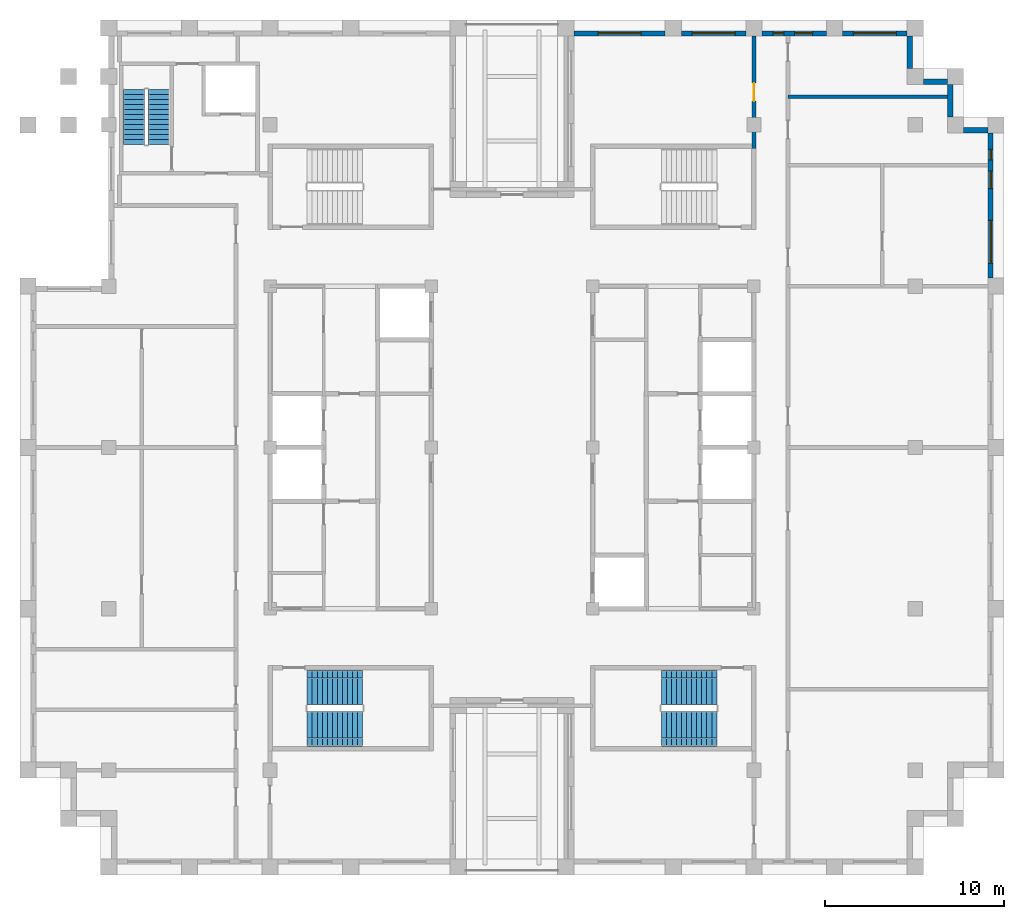
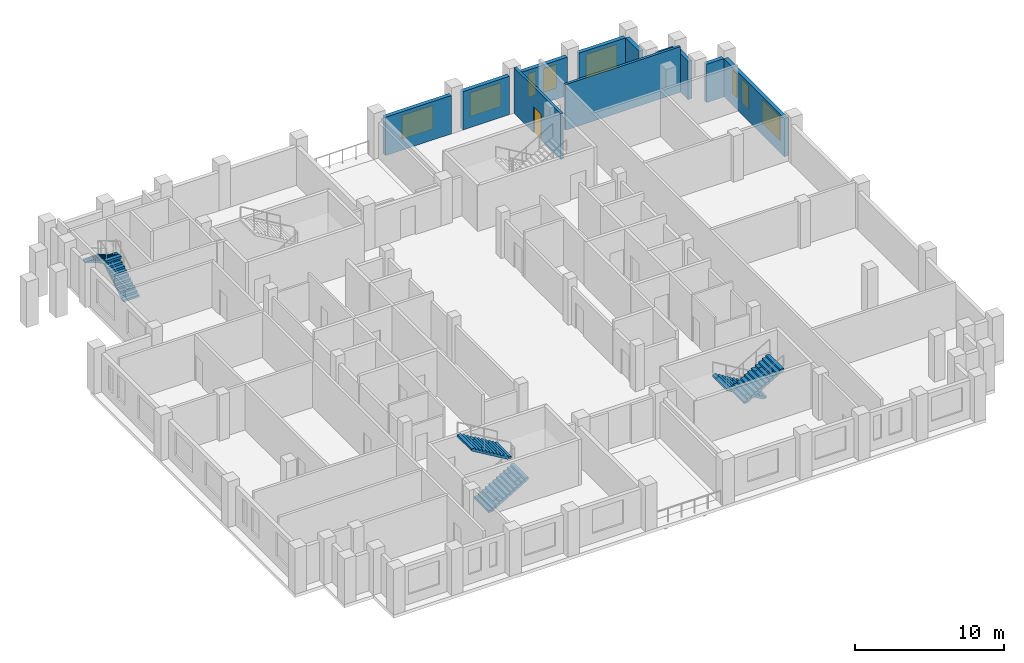
# One storey, part 7 of 9: 11 walls, 8 windows, 6 stair flights, 1 door, 9 openings, 3 elements without a shape of their own.
"""IFC4 building model written with IfcOpenShell, lengths in metres."""

from ifc_helpers import new_model, si_unit, direction, frame, frame_2d, origin, place, context, subcontext, project, spatial, polyline, rectangle, outline, extrude, material, layer, layer_set, type_object, element, fill, aggregate, save


model = new_model("IFC4")

# Units and contexts
model_context = context("Model", 3, precision=1e-05, world=origin(), true_north=direction((0.0, 1.0)))
body_context = subcontext(model_context, "Body", "Model", "MODEL_VIEW")
ifc_project = project(units=[si_unit("LENGTHUNIT", "METRE"), si_unit("AREAUNIT", "SQUARE_METRE"), si_unit("VOLUMEUNIT", "CUBIC_METRE"), si_unit("PLANEANGLEUNIT", "RADIAN"), si_unit("MASSUNIT", "GRAM", prefix="KILO")], contexts=[model_context])

# Site, building, storey
site_placement = place(None, origin())
site = spatial("IfcSite", under=ifc_project, at=site_placement, CompositionType="ELEMENT")
building_placement = place(site_placement, origin())
building = spatial("IfcBuilding", under=site, at=building_placement, Name="Corbelhall Arena Tower", CompositionType="ELEMENT")
storey_placement = place(building_placement, frame((0.0, 0.0, 300.0)))
storey = spatial("IfcBuildingStorey", under=building, at=storey_placement, Name="L65", CompositionType="ELEMENT", Elevation=300.0)

# Wall, openings, windows
ifc_material_1 = material(Name="Precast concrete C40/50 with granite facing", Category="masonry")
ifc_layer_1 = layer(ifc_material_1, 0.300048828125)
ifc_layer_set_1 = layer_set([ifc_layer_1], Name="EV-IW1 Infill panel 300")
wall_type_1 = type_object("IfcWallType", Name="EV-IW1 Infill panel 300", PredefinedType="SOLIDWALL", material=ifc_layer_set_1)
wall_1_placement = place(storey_placement, frame((26.699951171875, 9.449951171875, 0.0), z_axis=(0.0, 0.0, 1.0), x_axis=(0.0, 1.0, 0.0)))
wall_1 = element("IfcWall", 1, at=wall_1_placement, inside=storey, type_object=wall_type_1, Name="Infill panel IW1", PredefinedType="SOLIDWALL", context=body_context, shape_type="SweptSolid", body=[
    extrude(rectangle(XDim=8.10009765625, YDim=0.300048828125, at=frame_2d((4.050048828125, 0.0))), origin(), (0.0, 0.0, 1.0), 3.139892578125),
])
opening_1_placement = place(wall_1_placement, frame((0.824951171875, 0.0, 0.800048828125)))
opening_1 = element("IfcOpeningElement", 2, at=opening_1_placement, cuts=wall_1, Name="Opening WN1", PredefinedType="OPENING", context=body_context, shape_type="SweptSolid", body=[
    extrude(rectangle(XDim=2.39990234375, YDim=1.949951171875, at=frame_2d((1.199951171875, 0.97509765625))), frame((0.0, 0.14990234375, 0.0), z_axis=(0.0, -1.0, 0.0), x_axis=(1.0, 0.0, 0.0)), (0.0, 0.0, 1.0), 0.300048828125),
])
opening_2_placement = place(wall_1_placement, frame((4.987548828125, 0.0, 0.800048828125)))
opening_2 = element("IfcOpeningElement", 3, at=opening_2_placement, cuts=wall_1, Name="Opening WN6", PredefinedType="OPENING", context=body_context, shape_type="SweptSolid", body=[
    extrude(rectangle(XDim=1.0, YDim=1.949951171875, at=frame_2d((0.5, 0.97509765625))), frame((0.0, 0.14990234375, 0.0), z_axis=(0.0, -1.0, 0.0), x_axis=(1.0, 0.0, 0.0)), (0.0, 0.0, 1.0), 0.300048828125),
])
opening_3_placement = place(wall_1_placement, frame((6.58740234375, 0.0, 0.800048828125)))
opening_3 = element("IfcOpeningElement", 4, at=opening_3_placement, cuts=wall_1, Name="Opening WN5", PredefinedType="OPENING", context=body_context, shape_type="SweptSolid", body=[
    extrude(rectangle(XDim=0.60009765625, YDim=1.949951171875, at=frame_2d((0.300048828125, 0.97509765625))), frame((0.0, 0.14990234375, 0.0), z_axis=(0.0, -1.0, 0.0), x_axis=(1.0, 0.0, 0.0)), (0.0, 0.0, 1.0), 0.300048828125),
])
ifc_material_2 = material(Name="Aluminium black anodised", Category="aluminium")
window_type_1 = type_object("IfcWindowType", Name="EV-WN1 Office window", PartitioningType="SINGLE_PANEL", PredefinedType="WINDOW", material=ifc_material_2)
window_1_placement = place(opening_1_placement, origin())
window_1 = element("IfcWindow", 5, at=window_1_placement, inside=storey, type_object=window_type_1, Name="Window WN1", OverallHeight=1.949951171875, OverallWidth=2.39990234375, PartitioningType="SINGLE_PANEL", PredefinedType="WINDOW", context=body_context, shape_type="SweptSolid", body=[
    extrude(rectangle(XDim=2.39990234375, YDim=1.949951171875, at=frame_2d((1.199951171875, 0.97509765625))), frame((0.0, 0.030029296875, 0.0), z_axis=(0.0, -1.0, 0.0), x_axis=(1.0, 0.0, 0.0)), (0.0, 0.0, 1.0), 0.06005859375),
])
fill(opening_1, window_1)
window_type_2 = type_object("IfcWindowType", Name="EV-WN5 Office window 600", PartitioningType="SINGLE_PANEL", PredefinedType="WINDOW", material=ifc_material_2)
window_2_placement = place(opening_3_placement, origin())
window_2 = element("IfcWindow", 6, at=window_2_placement, inside=storey, type_object=window_type_2, Name="Window WN5", OverallHeight=1.949951171875, OverallWidth=0.60009765625, PartitioningType="SINGLE_PANEL", PredefinedType="WINDOW", context=body_context, shape_type="SweptSolid", body=[
    extrude(rectangle(XDim=0.60009765625, YDim=1.949951171875, at=frame_2d((0.300048828125, 0.97509765625))), frame((0.0, 0.030029296875, 0.0), z_axis=(0.0, -1.0, 0.0), x_axis=(1.0, 0.0, 0.0)), (0.0, 0.0, 1.0), 0.06005859375),
])
fill(opening_3, window_2)
window_type_3 = type_object("IfcWindowType", Name="EV-WN6 Office window 1000", PartitioningType="SINGLE_PANEL", PredefinedType="WINDOW", material=ifc_material_2)
window_3_placement = place(opening_2_placement, origin())
window_3 = element("IfcWindow", 7, at=window_3_placement, inside=storey, type_object=window_type_3, Name="Window WN6", OverallHeight=1.949951171875, OverallWidth=1.0, PartitioningType="SINGLE_PANEL", PredefinedType="WINDOW", context=body_context, shape_type="SweptSolid", body=[
    extrude(rectangle(XDim=1.0, YDim=1.949951171875, at=frame_2d((0.5, 0.97509765625))), frame((0.0, 0.030029296875, 0.0), z_axis=(0.0, -1.0, 0.0), x_axis=(1.0, 0.0, 0.0)), (0.0, 0.0, 1.0), 0.06005859375),
])
fill(opening_2, window_3)

# Walls
wall_2_placement = place(storey_placement, frame((26.550048828125, 17.699951171875, 0.0), z_axis=(0.0, 0.0, 1.0), x_axis=(-1.0, 0.0, 0.0)))
element("IfcWall", 8, at=wall_2_placement, inside=storey, type_object=wall_type_1, Name="Infill panel IW1", PredefinedType="SOLIDWALL", context=body_context, shape_type="SweptSolid", body=[
    extrude(rectangle(XDim=1.35009765625, YDim=0.300048828125, at=frame_2d((0.675048828125, 0.0))), origin(), (0.0, 0.0, 1.0), 3.139892578125),
])
wall_3_placement = place(storey_placement, frame((24.449951171875, 18.449951171875, 0.0), z_axis=(0.0, 0.0, 1.0), x_axis=(0.0, 1.0, 0.0)))
element("IfcWall", 9, at=wall_3_placement, inside=storey, type_object=wall_type_1, Name="Infill panel IW1", PredefinedType="SOLIDWALL", context=body_context, shape_type="SweptSolid", body=[
    extrude(rectangle(XDim=1.800048828125, YDim=0.300048828125, at=frame_2d((0.89990234375, 0.0))), origin(), (0.0, 0.0, 1.0), 3.139892578125),
])
wall_4_placement = place(storey_placement, frame((24.300048828125, 20.39990234375, 0.0), z_axis=(0.0, 0.0, 1.0), x_axis=(-1.0, 0.0, 0.0)))
element("IfcWall", 10, at=wall_4_placement, inside=storey, type_object=wall_type_1, Name="Infill panel IW1", PredefinedType="SOLIDWALL", context=body_context, shape_type="SweptSolid", body=[
    extrude(rectangle(XDim=1.35009765625, YDim=0.300048828125, at=frame_2d((0.675048828125, 0.0))), origin(), (0.0, 0.0, 1.0), 3.139892578125),
])
wall_5_placement = place(storey_placement, frame((22.199951171875, 21.14990234375, 0.0), z_axis=(0.0, 0.0, 1.0), x_axis=(0.0, 1.0, 0.0)))
element("IfcWall", 11, at=wall_5_placement, inside=storey, type_object=wall_type_1, Name="Infill panel IW1", PredefinedType="SOLIDWALL", context=body_context, shape_type="SweptSolid", body=[
    extrude(rectangle(XDim=1.800048828125, YDim=0.300048828125, at=frame_2d((0.89990234375, 0.0))), origin(), (0.0, 0.0, 1.0), 3.139892578125),
])

# Wall, opening, window
wall_6_placement = place(storey_placement, frame((22.050048828125, 23.10009765625, 0.0), z_axis=(0.0, 0.0, 1.0), x_axis=(-1.0, 0.0, 0.0)))
wall_6 = element("IfcWall", 12, at=wall_6_placement, inside=storey, type_object=wall_type_1, Name="Infill panel IW1", PredefinedType="SOLIDWALL", context=body_context, shape_type="SweptSolid", body=[
    extrude(rectangle(XDim=3.60009765625, YDim=0.300048828125, at=frame_2d((1.800048828125, 0.0))), origin(), (0.0, 0.0, 1.0), 3.139892578125),
])
opening_4_placement = place(wall_6_placement, frame((0.60009765625, 0.0, 0.800048828125)))
opening_4 = element("IfcOpeningElement", 13, at=opening_4_placement, cuts=wall_6, Name="Opening WN1", PredefinedType="OPENING", context=body_context, shape_type="SweptSolid", body=[
    extrude(rectangle(XDim=2.39990234375, YDim=1.949951171875, at=frame_2d((1.199951171875, 0.97509765625))), frame((0.0, 0.14990234375, 0.0), z_axis=(0.0, -1.0, 0.0), x_axis=(1.0, 0.0, 0.0)), (0.0, 0.0, 1.0), 0.300048828125),
])
window_4_placement = place(opening_4_placement, origin())
window_4 = element("IfcWindow", 14, at=window_4_placement, inside=storey, type_object=window_type_1, Name="Window WN1", OverallHeight=1.949951171875, OverallWidth=2.39990234375, PartitioningType="SINGLE_PANEL", PredefinedType="WINDOW", context=body_context, shape_type="SweptSolid", body=[
    extrude(rectangle(XDim=2.39990234375, YDim=1.949951171875, at=frame_2d((1.199951171875, 0.97509765625))), frame((0.0, 0.030029296875, 0.0), z_axis=(0.0, -1.0, 0.0), x_axis=(1.0, 0.0, 0.0)), (0.0, 0.0, 1.0), 0.06005859375),
])
fill(opening_4, window_4)

# Wall, openings, windows
wall_7_placement = place(storey_placement, frame((17.550048828125, 23.10009765625, 0.0), z_axis=(0.0, 0.0, 1.0), x_axis=(-1.0, 0.0, 0.0)))
wall_7 = element("IfcWall", 15, at=wall_7_placement, inside=storey, type_object=wall_type_1, Name="Infill panel IW1", PredefinedType="SOLIDWALL", context=body_context, shape_type="SweptSolid", body=[
    extrude(rectangle(XDim=3.60009765625, YDim=0.300048828125, at=frame_2d((1.800048828125, 0.0))), origin(), (0.0, 0.0, 1.0), 3.139892578125),
])
opening_5_placement = place(wall_7_placement, frame((0.77490234375, 0.0, 0.800048828125)))
opening_5 = element("IfcOpeningElement", 16, at=opening_5_placement, cuts=wall_7, Name="Opening WN6", PredefinedType="OPENING", context=body_context, shape_type="SweptSolid", body=[
    extrude(rectangle(XDim=1.0, YDim=1.949951171875, at=frame_2d((0.5, 0.97509765625))), frame((0.0, 0.14990234375, 0.0), z_axis=(0.0, -1.0, 0.0), x_axis=(1.0, 0.0, 0.0)), (0.0, 0.0, 1.0), 0.300048828125),
])
opening_6_placement = place(wall_7_placement, frame((2.375, 0.0, 0.800048828125)))
opening_6 = element("IfcOpeningElement", 17, at=opening_6_placement, cuts=wall_7, Name="Opening WN5", PredefinedType="OPENING", context=body_context, shape_type="SweptSolid", body=[
    extrude(rectangle(XDim=0.60009765625, YDim=1.949951171875, at=frame_2d((0.300048828125, 0.97509765625))), frame((0.0, 0.14990234375, 0.0), z_axis=(0.0, -1.0, 0.0), x_axis=(1.0, 0.0, 0.0)), (0.0, 0.0, 1.0), 0.300048828125),
])
window_5_placement = place(opening_6_placement, origin())
window_5 = element("IfcWindow", 18, at=window_5_placement, inside=storey, type_object=window_type_2, Name="Window WN5", OverallHeight=1.949951171875, OverallWidth=0.60009765625, PartitioningType="SINGLE_PANEL", PredefinedType="WINDOW", context=body_context, shape_type="SweptSolid", body=[
    extrude(rectangle(XDim=0.60009765625, YDim=1.949951171875, at=frame_2d((0.300048828125, 0.97509765625))), frame((0.0, 0.030029296875, 0.0), z_axis=(0.0, -1.0, 0.0), x_axis=(1.0, 0.0, 0.0)), (0.0, 0.0, 1.0), 0.06005859375),
])
fill(opening_6, window_5)
window_6_placement = place(opening_5_placement, origin())
window_6 = element("IfcWindow", 19, at=window_6_placement, inside=storey, type_object=window_type_3, Name="Window WN6", OverallHeight=1.949951171875, OverallWidth=1.0, PartitioningType="SINGLE_PANEL", PredefinedType="WINDOW", context=body_context, shape_type="SweptSolid", body=[
    extrude(rectangle(XDim=1.0, YDim=1.949951171875, at=frame_2d((0.5, 0.97509765625))), frame((0.0, 0.030029296875, 0.0), z_axis=(0.0, -1.0, 0.0), x_axis=(1.0, 0.0, 0.0)), (0.0, 0.0, 1.0), 0.06005859375),
])
fill(opening_5, window_6)

# Wall, opening, window
wall_8_placement = place(storey_placement, frame((13.050048828125, 23.10009765625, 0.0), z_axis=(0.0, 0.0, 1.0), x_axis=(-1.0, 0.0, 0.0)))
wall_8 = element("IfcWall", 20, at=wall_8_placement, inside=storey, type_object=wall_type_1, Name="Infill panel IW1", PredefinedType="SOLIDWALL", context=body_context, shape_type="SweptSolid", body=[
    extrude(rectangle(XDim=3.60009765625, YDim=0.300048828125, at=frame_2d((1.800048828125, 0.0))), origin(), (0.0, 0.0, 1.0), 3.139892578125),
])
opening_7_placement = place(wall_8_placement, frame((0.60009765625, 0.0, 0.800048828125)))
opening_7 = element("IfcOpeningElement", 21, at=opening_7_placement, cuts=wall_8, Name="Opening WN1", PredefinedType="OPENING", context=body_context, shape_type="SweptSolid", body=[
    extrude(rectangle(XDim=2.39990234375, YDim=1.949951171875, at=frame_2d((1.199951171875, 0.97509765625))), frame((0.0, 0.14990234375, 0.0), z_axis=(0.0, -1.0, 0.0), x_axis=(1.0, 0.0, 0.0)), (0.0, 0.0, 1.0), 0.300048828125),
])
window_7_placement = place(opening_7_placement, origin())
window_7 = element("IfcWindow", 22, at=window_7_placement, inside=storey, type_object=window_type_1, Name="Window WN1", OverallHeight=1.949951171875, OverallWidth=2.39990234375, PartitioningType="SINGLE_PANEL", PredefinedType="WINDOW", context=body_context, shape_type="SweptSolid", body=[
    extrude(rectangle(XDim=2.39990234375, YDim=1.949951171875, at=frame_2d((1.199951171875, 0.97509765625))), frame((0.0, 0.030029296875, 0.0), z_axis=(0.0, -1.0, 0.0), x_axis=(1.0, 0.0, 0.0)), (0.0, 0.0, 1.0), 0.06005859375),
])
fill(opening_7, window_7)

wall_9_placement = place(storey_placement, frame((8.550048828125, 23.10009765625, 0.0), z_axis=(0.0, 0.0, 1.0), x_axis=(-1.0, 0.0, 0.0)))
wall_9 = element("IfcWall", 23, at=wall_9_placement, inside=storey, type_object=wall_type_1, Name="Infill panel IW1", PredefinedType="SOLIDWALL", context=body_context, shape_type="SweptSolid", body=[
    extrude(rectangle(XDim=5.10009765625, YDim=0.300048828125, at=frame_2d((2.550048828125, 0.0))), origin(), (0.0, 0.0, 1.0), 3.139892578125),
])
opening_8_placement = place(wall_9_placement, frame((1.35009765625, 0.0, 0.800048828125)))
opening_8 = element("IfcOpeningElement", 24, at=opening_8_placement, cuts=wall_9, Name="Opening WN1", PredefinedType="OPENING", context=body_context, shape_type="SweptSolid", body=[
    extrude(rectangle(XDim=2.39990234375, YDim=1.949951171875, at=frame_2d((1.199951171875, 0.97509765625))), frame((0.0, 0.14990234375, 0.0), z_axis=(0.0, -1.0, 0.0), x_axis=(1.0, 0.0, 0.0)), (0.0, 0.0, 1.0), 0.300048828125),
])
window_8_placement = place(opening_8_placement, origin())
window_8 = element("IfcWindow", 25, at=window_8_placement, inside=storey, type_object=window_type_1, Name="Window WN1", OverallHeight=1.949951171875, OverallWidth=2.39990234375, PartitioningType="SINGLE_PANEL", PredefinedType="WINDOW", context=body_context, shape_type="SweptSolid", body=[
    extrude(rectangle(XDim=2.39990234375, YDim=1.949951171875, at=frame_2d((1.199951171875, 0.97509765625))), frame((0.0, 0.030029296875, 0.0), z_axis=(0.0, -1.0, 0.0), x_axis=(1.0, 0.0, 0.0)), (0.0, 0.0, 1.0), 0.06005859375),
])
fill(opening_8, window_8)

# Wall, opening, door
ifc_material_3 = material(Name="Gypsum board on steel stud, acoustic", Category="steel")
ifc_layer_2 = layer(ifc_material_3, 0.199951171875)
ifc_layer_set_2 = layer_set([ifc_layer_2], Name="IN-W-DM200")
wall_type_2 = type_object("IfcWallType", Name="IN-W-DM200", PredefinedType="PARTITIONING", material=ifc_layer_set_2)
wall_10_placement = place(storey_placement, frame((13.5, 16.675048828125, 0.0), z_axis=(0.0, 0.0, 1.0), x_axis=(0.0, 1.0, 0.0)))
wall_10 = element("IfcWall", 26, at=wall_10_placement, inside=storey, type_object=wall_type_2, Name="Partition 021", PredefinedType="PARTITIONING", context=body_context, shape_type="SweptSolid", body=[
    extrude(rectangle(XDim=6.27490234375, YDim=0.199951171875, at=frame_2d((3.137451171875, 0.0))), origin(), (0.0, 0.0, 1.0), 3.739990234375),
])
opening_9_placement = place(wall_10_placement, frame((2.64990234375, 0.0, 0.0)))
opening_9 = element("IfcOpeningElement", 27, at=opening_9_placement, cuts=wall_10, Name="Opening 21018", PredefinedType="OPENING", context=body_context, shape_type="SweptSolid", body=[
    extrude(rectangle(XDim=1.0, YDim=2.10009765625, at=frame_2d((0.5, 1.050048828125))), frame((0.0, 0.10009765625, 0.0), z_axis=(0.0, -1.0, 0.0), x_axis=(1.0, 0.0, 0.0)), (0.0, 0.0, 1.0), 0.199951171875),
])
ifc_material_4 = material(Name="Steel door set", Category="steel")
door_type = type_object("IfcDoorType", Name="IN-D-SW100", OperationType="NOTDEFINED", PredefinedType="DOOR", material=ifc_material_4)
door_placement = place(opening_9_placement, origin())
door = element("IfcDoor", 28, at=door_placement, inside=storey, type_object=door_type, Name="Door 018", OperationType="SINGLE_SWING_LEFT", OverallHeight=2.10009765625, OverallWidth=1.0, PredefinedType="DOOR", context=body_context, shape_type="SweptSolid", body=[
    extrude(rectangle(XDim=1.0, YDim=2.10009765625, at=frame_2d((0.5, 1.050048828125))), frame((0.0, 0.02490234375, 0.0), z_axis=(0.0, -1.0, 0.0), x_axis=(1.0, 0.0, 0.0)), (0.0, 0.0, 1.0), 0.050048828125),
])
fill(opening_9, door)

# Wall
wall_11_placement = place(storey_placement, frame((15.39990234375, 19.574951171875, 0.0), z_axis=(0.0, 0.0, 1.0), x_axis=(1.0, 0.0, 0.0)))
element("IfcWall", 29, at=wall_11_placement, inside=storey, type_object=wall_type_2, Name="Partition 026", PredefinedType="PARTITIONING", context=body_context, shape_type="SweptSolid", body=[
    extrude(rectangle(XDim=8.900146484375, YDim=0.199951171875, at=frame_2d((4.4501953125, 0.0))), origin(), (0.0, 0.0, 1.0), 3.739990234375),
])

# Stair, stair flights
ifc_material_5 = material(Name="Concrete C40/50", Category="concrete")
stair_type = type_object("IfcStairType", Name="IN-ST-TOWER", PredefinedType="HALF_TURN_STAIR", material=ifc_material_5)
stair_1_placement = place(storey_placement, origin())
stair_1 = element("IfcStair", 30, at=stair_1_placement, inside=storey, type_object=stair_type, Name="L65 Exit stair ST2", PredefinedType="HALF_TURN_STAIR")
stair_flight_type = type_object("IfcStairFlightType", Name="IN-SFL-RC", PredefinedType="STRAIGHT", material=ifc_material_5)
stair_flight_1_placement = place(storey_placement, frame((-11.425048828125, -15.699951171875, 0.0), z_axis=(0.0, 0.0, 1.0), x_axis=(1.0, 0.0, 0.0)))
stair_flight_1 = element("IfcStairFlight", 31, at=stair_flight_1_placement, type_object=stair_flight_type, Name="ST2 flight 1", NumberOfRisers=12, NumberOfTreads=11, PredefinedType="STRAIGHT", RiserHeight=0.166666667, TreadLength=0.28, context=body_context, shape_type="SweptSolid", body=[
    extrude(outline(polyline([(0.0, 0.0), (0.0, 0.166748046875), (0.280029296875, 0.166748046875), (0.280029296875, 0.333251953125), (0.56005859375, 0.333251953125), (0.56005859375, 0.5), (0.840087890625, 0.5), (0.840087890625, 0.666748046875), (1.1201171875, 0.666748046875), (1.1201171875, 0.833251953125), (1.39990234375, 0.833251953125), (1.39990234375, 1.0), (1.679931640625, 1.0), (1.679931640625, 1.166748046875), (1.9599609375, 1.166748046875), (1.9599609375, 1.333251953125), (2.239990234375, 1.333251953125), (2.239990234375, 1.5), (2.52001953125, 1.5), (2.52001953125, 1.666748046875), (2.800048828125, 1.666748046875), (2.800048828125, 1.833251953125), (3.080078125, 1.833251953125), (3.080078125, 2.0), (3.080078125, 1.658935546875), (0.29296875, 0.0), (0.0, 0.0)])), frame((0.0, 0.97509765625, 0.0), z_axis=(0.0, -1.0, 0.0), x_axis=(1.0, 0.0, 0.0)), (0.0, 0.0, 1.0), 0.449951171875),
    extrude(outline(polyline([(0.0, 0.0), (0.0, 0.166748046875), (0.280029296875, 0.166748046875), (0.280029296875, 0.333251953125), (0.56005859375, 0.333251953125), (0.56005859375, 0.5), (0.840087890625, 0.5), (0.840087890625, 0.666748046875), (1.1201171875, 0.666748046875), (1.1201171875, 0.833251953125), (1.39990234375, 0.833251953125), (1.39990234375, 1.0), (1.679931640625, 1.0), (1.679931640625, 1.166748046875), (1.9599609375, 1.166748046875), (1.9599609375, 1.333251953125), (2.239990234375, 1.333251953125), (2.239990234375, 1.5), (2.52001953125, 1.5), (2.52001953125, 1.666748046875), (2.800048828125, 1.666748046875), (2.800048828125, 1.833251953125), (3.080078125, 1.833251953125), (3.080078125, 2.0), (3.080078125, 1.658935546875), (0.29296875, 0.0), (0.0, 0.0)])), frame((0.0, 0.52099609375, 0.0), z_axis=(0.0, -1.0, 0.0), x_axis=(1.0, 0.0, 0.0)), (0.0, 0.0, 1.0), 1.0419921875),
    extrude(outline(polyline([(0.0, 0.0), (0.0, 0.166748046875), (0.280029296875, 0.166748046875), (0.280029296875, 0.333251953125), (0.56005859375, 0.333251953125), (0.56005859375, 0.5), (0.840087890625, 0.5), (0.840087890625, 0.666748046875), (1.1201171875, 0.666748046875), (1.1201171875, 0.833251953125), (1.39990234375, 0.833251953125), (1.39990234375, 1.0), (1.679931640625, 1.0), (1.679931640625, 1.166748046875), (1.9599609375, 1.166748046875), (1.9599609375, 1.333251953125), (2.239990234375, 1.333251953125), (2.239990234375, 1.5), (2.52001953125, 1.5), (2.52001953125, 1.666748046875), (2.800048828125, 1.666748046875), (2.800048828125, 1.833251953125), (3.080078125, 1.833251953125), (3.080078125, 2.0), (3.080078125, 1.658935546875), (0.29296875, 0.0), (0.0, 0.0)])), frame((0.0, -0.52490234375, 0.0), z_axis=(0.0, -1.0, 0.0), x_axis=(1.0, 0.0, 0.0)), (0.0, 0.0, 1.0), 0.449951171875),
])
stair_flight_2_placement = place(storey_placement, frame((-8.344970703125, -13.39990234375, 2.0), z_axis=(0.0, 0.0, 1.0), x_axis=(-1.0, 0.0, 0.0)))
stair_flight_2 = element("IfcStairFlight", 32, at=stair_flight_2_placement, type_object=stair_flight_type, Name="ST2 flight 2", NumberOfRisers=12, NumberOfTreads=11, PredefinedType="STRAIGHT", RiserHeight=0.166666667, TreadLength=0.28, context=body_context, shape_type="SweptSolid", body=[
    extrude(outline(polyline([(0.0, 0.0), (0.0, 0.166748046875), (0.280029296875, 0.166748046875), (0.280029296875, 0.333251953125), (0.56005859375, 0.333251953125), (0.56005859375, 0.5), (0.840087890625, 0.5), (0.840087890625, 0.666748046875), (1.1201171875, 0.666748046875), (1.1201171875, 0.833251953125), (1.39990234375, 0.833251953125), (1.39990234375, 1.0), (1.679931640625, 1.0), (1.679931640625, 1.166748046875), (1.9599609375, 1.166748046875), (1.9599609375, 1.333251953125), (2.239990234375, 1.333251953125), (2.239990234375, 1.5), (2.52001953125, 1.5), (2.52001953125, 1.666748046875), (2.800048828125, 1.666748046875), (2.800048828125, 1.833251953125), (3.080078125, 1.833251953125), (3.080078125, 2.0), (3.080078125, 1.658935546875), (0.29296875, 0.0), (0.0, 0.0)])), frame((0.0, 0.97509765625, 0.0), z_axis=(0.0, -1.0, 0.0), x_axis=(1.0, 0.0, 0.0)), (0.0, 0.0, 1.0), 0.449951171875),
    extrude(outline(polyline([(0.0, 0.0), (0.0, 0.166748046875), (0.280029296875, 0.166748046875), (0.280029296875, 0.333251953125), (0.56005859375, 0.333251953125), (0.56005859375, 0.5), (0.840087890625, 0.5), (0.840087890625, 0.666748046875), (1.1201171875, 0.666748046875), (1.1201171875, 0.833251953125), (1.39990234375, 0.833251953125), (1.39990234375, 1.0), (1.679931640625, 1.0), (1.679931640625, 1.166748046875), (1.9599609375, 1.166748046875), (1.9599609375, 1.333251953125), (2.239990234375, 1.333251953125), (2.239990234375, 1.5), (2.52001953125, 1.5), (2.52001953125, 1.666748046875), (2.800048828125, 1.666748046875), (2.800048828125, 1.833251953125), (3.080078125, 1.833251953125), (3.080078125, 2.0), (3.080078125, 1.658935546875), (0.29296875, 0.0), (0.0, 0.0)])), frame((0.0, 0.52099609375, 0.0), z_axis=(0.0, -1.0, 0.0), x_axis=(1.0, 0.0, 0.0)), (0.0, 0.0, 1.0), 1.0419921875),
    extrude(outline(polyline([(0.0, 0.0), (0.0, 0.166748046875), (0.280029296875, 0.166748046875), (0.280029296875, 0.333251953125), (0.56005859375, 0.333251953125), (0.56005859375, 0.5), (0.840087890625, 0.5), (0.840087890625, 0.666748046875), (1.1201171875, 0.666748046875), (1.1201171875, 0.833251953125), (1.39990234375, 0.833251953125), (1.39990234375, 1.0), (1.679931640625, 1.0), (1.679931640625, 1.166748046875), (1.9599609375, 1.166748046875), (1.9599609375, 1.333251953125), (2.239990234375, 1.333251953125), (2.239990234375, 1.5), (2.52001953125, 1.5), (2.52001953125, 1.666748046875), (2.800048828125, 1.666748046875), (2.800048828125, 1.833251953125), (3.080078125, 1.833251953125), (3.080078125, 2.0), (3.080078125, 1.658935546875), (0.29296875, 0.0), (0.0, 0.0)])), frame((0.0, -0.52490234375, 0.0), z_axis=(0.0, -1.0, 0.0), x_axis=(1.0, 0.0, 0.0)), (0.0, 0.0, 1.0), 0.449951171875),
])
aggregate(stair_1, [stair_flight_1, stair_flight_2])

stair_2_placement = place(storey_placement, origin())
stair_2 = element("IfcStair", 33, at=stair_2_placement, inside=storey, type_object=stair_type, Name="L65 Exit stair ST4", PredefinedType="HALF_TURN_STAIR")
stair_flight_3_placement = place(storey_placement, frame((11.425048828125, -13.39990234375, 0.0), z_axis=(0.0, 0.0, 1.0), x_axis=(-1.0, 0.0, 0.0)))
stair_flight_3 = element("IfcStairFlight", 34, at=stair_flight_3_placement, type_object=stair_flight_type, Name="ST4 flight 1", NumberOfRisers=12, NumberOfTreads=11, PredefinedType="STRAIGHT", RiserHeight=0.166666667, TreadLength=0.28, context=body_context, shape_type="SweptSolid", body=[
    extrude(outline(polyline([(0.0, 0.0), (0.0, 0.166748046875), (0.280029296875, 0.166748046875), (0.280029296875, 0.333251953125), (0.56005859375, 0.333251953125), (0.56005859375, 0.5), (0.840087890625, 0.5), (0.840087890625, 0.666748046875), (1.1201171875, 0.666748046875), (1.1201171875, 0.833251953125), (1.39990234375, 0.833251953125), (1.39990234375, 1.0), (1.679931640625, 1.0), (1.679931640625, 1.166748046875), (1.9599609375, 1.166748046875), (1.9599609375, 1.333251953125), (2.239990234375, 1.333251953125), (2.239990234375, 1.5), (2.52001953125, 1.5), (2.52001953125, 1.666748046875), (2.800048828125, 1.666748046875), (2.800048828125, 1.833251953125), (3.080078125, 1.833251953125), (3.080078125, 2.0), (3.080078125, 1.658935546875), (0.29296875, 0.0), (0.0, 0.0)])), frame((0.0, 0.97509765625, 0.0), z_axis=(0.0, -1.0, 0.0), x_axis=(1.0, 0.0, 0.0)), (0.0, 0.0, 1.0), 0.449951171875),
    extrude(outline(polyline([(0.0, 0.0), (0.0, 0.166748046875), (0.280029296875, 0.166748046875), (0.280029296875, 0.333251953125), (0.56005859375, 0.333251953125), (0.56005859375, 0.5), (0.840087890625, 0.5), (0.840087890625, 0.666748046875), (1.1201171875, 0.666748046875), (1.1201171875, 0.833251953125), (1.39990234375, 0.833251953125), (1.39990234375, 1.0), (1.679931640625, 1.0), (1.679931640625, 1.166748046875), (1.9599609375, 1.166748046875), (1.9599609375, 1.333251953125), (2.239990234375, 1.333251953125), (2.239990234375, 1.5), (2.52001953125, 1.5), (2.52001953125, 1.666748046875), (2.800048828125, 1.666748046875), (2.800048828125, 1.833251953125), (3.080078125, 1.833251953125), (3.080078125, 2.0), (3.080078125, 1.658935546875), (0.29296875, 0.0), (0.0, 0.0)])), frame((0.0, 0.52099609375, 0.0), z_axis=(0.0, -1.0, 0.0), x_axis=(1.0, 0.0, 0.0)), (0.0, 0.0, 1.0), 1.0419921875),
    extrude(outline(polyline([(0.0, 0.0), (0.0, 0.166748046875), (0.280029296875, 0.166748046875), (0.280029296875, 0.333251953125), (0.56005859375, 0.333251953125), (0.56005859375, 0.5), (0.840087890625, 0.5), (0.840087890625, 0.666748046875), (1.1201171875, 0.666748046875), (1.1201171875, 0.833251953125), (1.39990234375, 0.833251953125), (1.39990234375, 1.0), (1.679931640625, 1.0), (1.679931640625, 1.166748046875), (1.9599609375, 1.166748046875), (1.9599609375, 1.333251953125), (2.239990234375, 1.333251953125), (2.239990234375, 1.5), (2.52001953125, 1.5), (2.52001953125, 1.666748046875), (2.800048828125, 1.666748046875), (2.800048828125, 1.833251953125), (3.080078125, 1.833251953125), (3.080078125, 2.0), (3.080078125, 1.658935546875), (0.29296875, 0.0), (0.0, 0.0)])), frame((0.0, -0.52490234375, 0.0), z_axis=(0.0, -1.0, 0.0), x_axis=(1.0, 0.0, 0.0)), (0.0, 0.0, 1.0), 0.449951171875),
])
stair_flight_4_placement = place(storey_placement, frame((8.344970703125, -15.699951171875, 2.0), z_axis=(0.0, 0.0, 1.0), x_axis=(1.0, 0.0, 0.0)))
stair_flight_4 = element("IfcStairFlight", 35, at=stair_flight_4_placement, type_object=stair_flight_type, Name="ST4 flight 2", NumberOfRisers=12, NumberOfTreads=11, PredefinedType="STRAIGHT", RiserHeight=0.166666667, TreadLength=0.28, context=body_context, shape_type="SweptSolid", body=[
    extrude(outline(polyline([(0.0, 0.0), (0.0, 0.166748046875), (0.280029296875, 0.166748046875), (0.280029296875, 0.333251953125), (0.56005859375, 0.333251953125), (0.56005859375, 0.5), (0.840087890625, 0.5), (0.840087890625, 0.666748046875), (1.1201171875, 0.666748046875), (1.1201171875, 0.833251953125), (1.39990234375, 0.833251953125), (1.39990234375, 1.0), (1.679931640625, 1.0), (1.679931640625, 1.166748046875), (1.9599609375, 1.166748046875), (1.9599609375, 1.333251953125), (2.239990234375, 1.333251953125), (2.239990234375, 1.5), (2.52001953125, 1.5), (2.52001953125, 1.666748046875), (2.800048828125, 1.666748046875), (2.800048828125, 1.833251953125), (3.080078125, 1.833251953125), (3.080078125, 2.0), (3.080078125, 1.658935546875), (0.29296875, 0.0), (0.0, 0.0)])), frame((0.0, 0.97509765625, 0.0), z_axis=(0.0, -1.0, 0.0), x_axis=(1.0, 0.0, 0.0)), (0.0, 0.0, 1.0), 0.449951171875),
    extrude(outline(polyline([(0.0, 0.0), (0.0, 0.166748046875), (0.280029296875, 0.166748046875), (0.280029296875, 0.333251953125), (0.56005859375, 0.333251953125), (0.56005859375, 0.5), (0.840087890625, 0.5), (0.840087890625, 0.666748046875), (1.1201171875, 0.666748046875), (1.1201171875, 0.833251953125), (1.39990234375, 0.833251953125), (1.39990234375, 1.0), (1.679931640625, 1.0), (1.679931640625, 1.166748046875), (1.9599609375, 1.166748046875), (1.9599609375, 1.333251953125), (2.239990234375, 1.333251953125), (2.239990234375, 1.5), (2.52001953125, 1.5), (2.52001953125, 1.666748046875), (2.800048828125, 1.666748046875), (2.800048828125, 1.833251953125), (3.080078125, 1.833251953125), (3.080078125, 2.0), (3.080078125, 1.658935546875), (0.29296875, 0.0), (0.0, 0.0)])), frame((0.0, 0.52099609375, 0.0), z_axis=(0.0, -1.0, 0.0), x_axis=(1.0, 0.0, 0.0)), (0.0, 0.0, 1.0), 1.0419921875),
    extrude(outline(polyline([(0.0, 0.0), (0.0, 0.166748046875), (0.280029296875, 0.166748046875), (0.280029296875, 0.333251953125), (0.56005859375, 0.333251953125), (0.56005859375, 0.5), (0.840087890625, 0.5), (0.840087890625, 0.666748046875), (1.1201171875, 0.666748046875), (1.1201171875, 0.833251953125), (1.39990234375, 0.833251953125), (1.39990234375, 1.0), (1.679931640625, 1.0), (1.679931640625, 1.166748046875), (1.9599609375, 1.166748046875), (1.9599609375, 1.333251953125), (2.239990234375, 1.333251953125), (2.239990234375, 1.5), (2.52001953125, 1.5), (2.52001953125, 1.666748046875), (2.800048828125, 1.666748046875), (2.800048828125, 1.833251953125), (3.080078125, 1.833251953125), (3.080078125, 2.0), (3.080078125, 1.658935546875), (0.29296875, 0.0), (0.0, 0.0)])), frame((0.0, -0.52490234375, 0.0), z_axis=(0.0, -1.0, 0.0), x_axis=(1.0, 0.0, 0.0)), (0.0, 0.0, 1.0), 0.449951171875),
])
aggregate(stair_2, [stair_flight_3, stair_flight_4])

stair_3_placement = place(storey_placement, origin())
stair_3 = element("IfcStair", 36, at=stair_3_placement, inside=storey, type_object=stair_type, Name="L65 Exit stair ST5", PredefinedType="HALF_TURN_STAIR")
stair_flight_5_placement = place(storey_placement, frame((-19.695068359375, 16.89990234375, 0.0), z_axis=(0.0, 0.0, 1.0), x_axis=(0.0, 1.0, 0.0)))
stair_flight_5 = element("IfcStairFlight", 37, at=stair_flight_5_placement, type_object=stair_flight_type, Name="ST5 flight 1", NumberOfRisers=12, NumberOfTreads=11, PredefinedType="STRAIGHT", RiserHeight=0.166666667, TreadLength=0.28, context=body_context, shape_type="SweptSolid", body=[
    extrude(outline(polyline([(0.0, 0.0), (0.0, 0.166748046875), (0.280029296875, 0.166748046875), (0.280029296875, 0.333251953125), (0.56005859375, 0.333251953125), (0.56005859375, 0.5), (0.840087890625, 0.5), (0.840087890625, 0.666748046875), (1.1201171875, 0.666748046875), (1.1201171875, 0.833251953125), (1.39990234375, 0.833251953125), (1.39990234375, 1.0), (1.679931640625, 1.0), (1.679931640625, 1.166748046875), (1.9599609375, 1.166748046875), (1.9599609375, 1.333251953125), (2.239990234375, 1.333251953125), (2.239990234375, 1.5), (2.52001953125, 1.5), (2.52001953125, 1.666748046875), (2.800048828125, 1.666748046875), (2.800048828125, 1.833251953125), (3.080078125, 1.833251953125), (3.080078125, 2.0), (3.080078125, 1.658935546875), (0.29296875, 0.0), (0.0, 0.0)])), frame((0.0, 0.60009765625, 0.0), z_axis=(0.0, -1.0, 0.0), x_axis=(1.0, 0.0, 0.0)), (0.0, 0.0, 1.0), 1.199951171875),
])
stair_flight_6_placement = place(storey_placement, frame((-21.094970703125, 19.97998046875, 2.0), z_axis=(0.0, 0.0, 1.0), x_axis=(0.0, -1.0, 0.0)))
stair_flight_6 = element("IfcStairFlight", 38, at=stair_flight_6_placement, type_object=stair_flight_type, Name="ST5 flight 2", NumberOfRisers=12, NumberOfTreads=11, PredefinedType="STRAIGHT", RiserHeight=0.166666667, TreadLength=0.28, context=body_context, shape_type="SweptSolid", body=[
    extrude(outline(polyline([(0.0, 0.0), (0.0, 0.166748046875), (0.280029296875, 0.166748046875), (0.280029296875, 0.333251953125), (0.56005859375, 0.333251953125), (0.56005859375, 0.5), (0.840087890625, 0.5), (0.840087890625, 0.666748046875), (1.1201171875, 0.666748046875), (1.1201171875, 0.833251953125), (1.39990234375, 0.833251953125), (1.39990234375, 1.0), (1.679931640625, 1.0), (1.679931640625, 1.166748046875), (1.9599609375, 1.166748046875), (1.9599609375, 1.333251953125), (2.239990234375, 1.333251953125), (2.239990234375, 1.5), (2.52001953125, 1.5), (2.52001953125, 1.666748046875), (2.800048828125, 1.666748046875), (2.800048828125, 1.833251953125), (3.080078125, 1.833251953125), (3.080078125, 2.0), (3.080078125, 1.658935546875), (0.29296875, 0.0), (0.0, 0.0)])), frame((0.0, 0.60009765625, 0.0), z_axis=(0.0, -1.0, 0.0), x_axis=(1.0, 0.0, 0.0)), (0.0, 0.0, 1.0), 1.199951171875),
])
aggregate(stair_3, [stair_flight_5, stair_flight_6])

save(model, "model.ifc")
